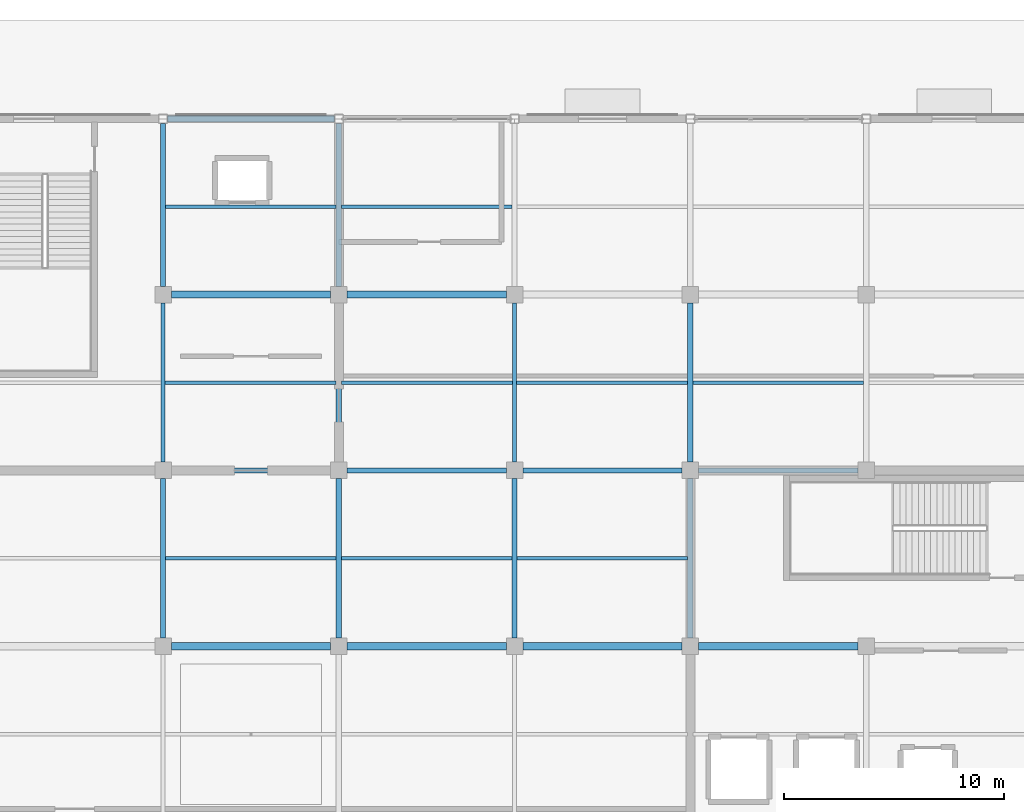
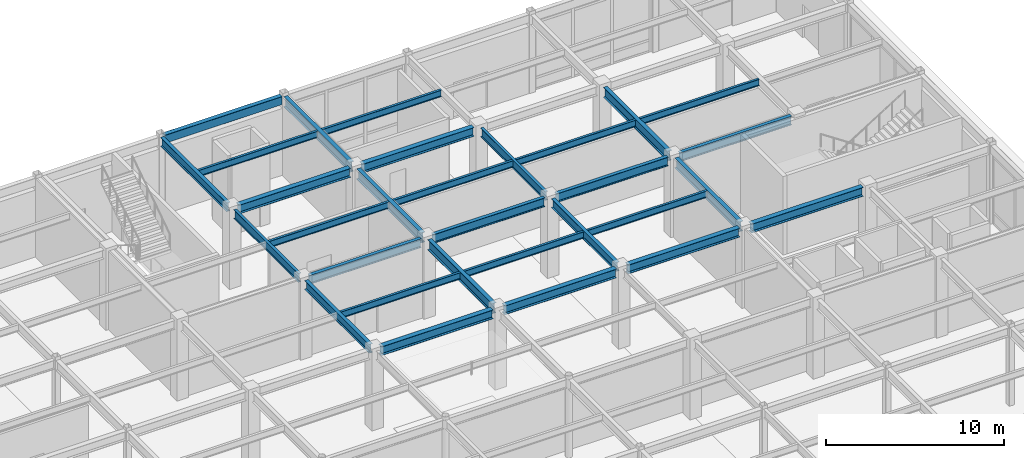
# One storey, part 88 of 128: 30 beams.
"""IFC4 building model written with IfcOpenShell, lengths in metres."""

from ifc_helpers import new_model, si_unit, direction, frame, origin, origin_2d, place, context, subcontext, project, spatial, hollow_rectangle, i_section, extrude, material, material_profile, profile_set, type_object, element, save


model = new_model("IFC4")

# Units and contexts
model_context = context("Model", 3, precision=1e-05, world=origin(), true_north=direction((0.0, 1.0)))
body_context = subcontext(model_context, "Body", "Model", "MODEL_VIEW")
ifc_project = project(units=[si_unit("LENGTHUNIT", "METRE"), si_unit("AREAUNIT", "SQUARE_METRE"), si_unit("VOLUMEUNIT", "CUBIC_METRE"), si_unit("PLANEANGLEUNIT", "RADIAN"), si_unit("MASSUNIT", "GRAM", prefix="KILO")], contexts=[model_context])

# Site, building, storey
site_placement = place(None, origin())
site = spatial("IfcSite", under=ifc_project, at=site_placement, CompositionType="ELEMENT")
building_placement = place(site_placement, origin())
building = spatial("IfcBuilding", under=site, at=building_placement, Name="Solmirada Galleria", CompositionType="ELEMENT")
storey_placement = place(building_placement, origin())
storey = spatial("IfcBuildingStorey", under=building, at=storey_placement, Name="L00", CompositionType="ELEMENT", Elevation=0.0)

# Beams
ifc_material_1 = material(Name="Steel S355 / ASTM A992 Grade 50", Category="steel")
ifc_material_profile_1 = material_profile(ifc_material_1, i_section(OverallWidth=0.323974609375, OverallDepth=0.611083984375, WebThickness=0.0126953125, FlangeThickness=0.01904296875, FilletRadius=0.014892578125, at=origin_2d()), Name="W24X104")
ifc_profile_set_1 = profile_set([ifc_material_profile_1], Name="Steel S355 / ASTM A992 Grade 50")
beam_type_1 = type_object("IfcBeamType", Name="BM-GIRD-W24A", PredefinedType="BEAM", material=ifc_profile_set_1)
for number, where, z_axis, x_axis, name in (
    (1, (136.375, 96.0, 5.074462890625), (1.0, 0.0, 0.0), (0.0, 1.0, 0.0), "Primary beam L01 X(136..144, 96)"),
    (2, (136.375, 112.0, 5.074462890625), (1.0, 0.0, 0.0), (0.0, 1.0, 0.0), "Primary beam L01 X(136..144, 112)"),
    (3, (144.375, 96.0, 5.074462890625), (1.0, 0.0, 0.0), (0.0, 1.0, 0.0), "Primary beam L01 X(144..152, 96)"),
    (4, (144.375, 112.0, 5.074462890625), (1.0, 0.0, 0.0), (0.0, 1.0, 0.0), "Primary beam L01 X(144..152, 112)"),
    (5, (152.375, 96.0, 5.074462890625), (1.0, 0.0, 0.0), (0.0, 1.0, 0.0), "Primary beam L01 X(152..160, 96)"),
    (6, (160.375, 96.0, 5.074462890625), (1.0, 0.0, 0.0), (0.0, 1.0, 0.0), "Primary beam L01 X(160..168, 96)"),
):
    element("IfcBeam", number, at=place(storey_placement, frame(where, z_axis=z_axis, x_axis=x_axis)), inside=storey, type_object=beam_type_1, Name=name, PredefinedType="BEAM", context=body_context, shape_type="SweptSolid", body=[
        extrude(i_section(OverallWidth=0.323974609375, OverallDepth=0.611083984375, WebThickness=0.0126953125, FlangeThickness=0.01904296875, FilletRadius=0.014892578125, at=origin_2d()), origin(), (0.0, 0.0, 1.0), 7.25),
    ])
ifc_material_profile_2 = material_profile(ifc_material_1, i_section(OverallWidth=0.22900390625, OverallDepth=0.612060546875, WebThickness=0.011962890625, FlangeThickness=0.01953125, FilletRadius=0.014892578125, at=origin_2d()), Name="W24X84")
ifc_profile_set_2 = profile_set([ifc_material_profile_2], Name="Steel S355 / ASTM A992 Grade 50")
beam_type_2 = type_object("IfcBeamType", Name="BM-GIRD-W24B", PredefinedType="BEAM", material=ifc_profile_set_2)
for number, where, z_axis, x_axis, name in (
    (7, (136.375, 104.0, 5.073974609375), (1.0, 0.0, 0.0), (0.0, 1.0, 0.0), "Primary beam L01 X(136..144, 104)"),
    (8, (144.375, 104.0, 5.073974609375), (1.0, 0.0, 0.0), (0.0, 1.0, 0.0), "Primary beam L01 X(144..152, 104)"),
    (9, (152.375, 104.0, 5.073974609375), (1.0, 0.0, 0.0), (0.0, 1.0, 0.0), "Primary beam L01 X(152..160, 104)"),
    (10, (160.375, 104.0, 5.073974609375), (1.0, 0.0, 0.0), (0.0, 1.0, 0.0), "Primary beam L01 X(160..168, 104)"),
):
    element("IfcBeam", number, at=place(storey_placement, frame(where, z_axis=z_axis, x_axis=x_axis)), inside=storey, type_object=beam_type_2, Name=name, PredefinedType="BEAM", context=body_context, shape_type="SweptSolid", body=[
        extrude(i_section(OverallWidth=0.22900390625, OverallDepth=0.612060546875, WebThickness=0.011962890625, FlangeThickness=0.01953125, FilletRadius=0.014892578125, at=origin_2d()), origin(), (0.0, 0.0, 1.0), 7.25),
    ])
ifc_material_profile_3 = material_profile(ifc_material_1, i_section(OverallWidth=0.22802734375, OverallDepth=0.60302734375, WebThickness=0.010498046875, FlangeThickness=0.014892578125, FilletRadius=0.014892578125, at=origin_2d()), Name="W24X68")
ifc_profile_set_3 = profile_set([ifc_material_profile_3], Name="Steel S355 / ASTM A992 Grade 50")
beam_type_3 = type_object("IfcBeamType", Name="BM-GIRD-W24C", PredefinedType="BEAM", material=ifc_profile_set_3)
beam_1_placement = place(storey_placement, frame((136.0, 96.375, 5.07861328125), z_axis=(0.0, 1.0, 0.0), x_axis=(-1.0, 0.0, 0.0)))
element("IfcBeam", 11, at=beam_1_placement, inside=storey, type_object=beam_type_3, Name="Primary girder L01 Y(136, 96..104)", PredefinedType="BEAM", context=body_context, shape_type="SweptSolid", body=[
    extrude(i_section(OverallWidth=0.22802734375, OverallDepth=0.60302734375, WebThickness=0.010498046875, FlangeThickness=0.014892578125, FilletRadius=0.014892578125, at=origin_2d()), origin(), (0.0, 0.0, 1.0), 7.25),
])
beam_2_placement = place(storey_placement, frame((136.0, 112.375, 5.07861328125), z_axis=(0.0, 1.0, 0.0), x_axis=(-1.0, 0.0, 0.0)))
element("IfcBeam", 12, at=beam_2_placement, inside=storey, type_object=beam_type_3, Name="Primary girder L01 Y(136, 112..120)", PredefinedType="BEAM", context=body_context, shape_type="SweptSolid", body=[
    extrude(i_section(OverallWidth=0.22802734375, OverallDepth=0.60302734375, WebThickness=0.010498046875, FlangeThickness=0.014892578125, FilletRadius=0.014892578125, at=origin_2d()), origin(), (0.0, 0.0, 1.0), 7.422119140625),
])
beam_3_placement = place(storey_placement, frame((152.0, 96.375, 5.07861328125), z_axis=(0.0, 1.0, 0.0), x_axis=(-1.0, 0.0, 0.0)))
element("IfcBeam", 13, at=beam_3_placement, inside=storey, type_object=beam_type_3, Name="Primary girder L01 Y(152, 96..104)", PredefinedType="BEAM", context=body_context, shape_type="SweptSolid", body=[
    extrude(i_section(OverallWidth=0.22802734375, OverallDepth=0.60302734375, WebThickness=0.010498046875, FlangeThickness=0.014892578125, FilletRadius=0.014892578125, at=origin_2d()), origin(), (0.0, 0.0, 1.0), 7.25),
])
ifc_material_profile_4 = material_profile(ifc_material_1, i_section(OverallWidth=0.177978515625, OverallDepth=0.59912109375, WebThickness=0.010009765625, FlangeThickness=0.0126953125, FilletRadius=0.013916015625, at=origin_2d()), Name="W24X55")
ifc_profile_set_4 = profile_set([ifc_material_profile_4], Name="Steel S355 / ASTM A992 Grade 50")
beam_type_4 = type_object("IfcBeamType", Name="BM-GIRD-W24D", PredefinedType="BEAM", material=ifc_profile_set_4)
for number, where, z_axis, x_axis, name in (
    (14, (136.0, 104.375, 5.08056640625), (0.0, 1.0, 0.0), (-1.0, 0.0, 0.0), "Primary girder L01 Y(136, 104..112)"),
    (15, (152.0, 104.375, 5.08056640625), (0.0, 1.0, 0.0), (-1.0, 0.0, 0.0), "Primary girder L01 Y(152, 104..112)"),
):
    element("IfcBeam", number, at=place(storey_placement, frame(where, z_axis=z_axis, x_axis=x_axis)), inside=storey, type_object=beam_type_4, Name=name, PredefinedType="BEAM", context=body_context, shape_type="SweptSolid", body=[
        extrude(i_section(OverallWidth=0.177978515625, OverallDepth=0.59912109375, WebThickness=0.010009765625, FlangeThickness=0.0126953125, FilletRadius=0.013916015625, at=origin_2d()), origin(), (0.0, 0.0, 1.0), 7.25),
    ])
ifc_material_profile_5 = material_profile(ifc_material_1, i_section(OverallWidth=0.256103515625, OverallDepth=0.693115234375, WebThickness=0.014404296875, FlangeThickness=0.023681640625, FilletRadius=0.01806640625, at=origin_2d()), Name="W27X114")
ifc_profile_set_5 = profile_set([ifc_material_profile_5], Name="Steel S355 / ASTM A992 Grade 50")
beam_type_5 = type_object("IfcBeamType", Name="BM-GIRD-W27A", PredefinedType="BEAM", material=ifc_profile_set_5)
for number, where, z_axis, x_axis, name in (
    (16, (144.0, 96.375, 5.033447265625), (0.0, 1.0, 0.0), (-1.0, 0.0, 0.0), "Primary girder L01 Y(144, 96..104)"),
    (17, (144.0, 104.375, 5.033447265625), (0.0, 1.0, 0.0), (-1.0, 0.0, 0.0), "Primary girder L01 Y(144, 104..112)"),
):
    element("IfcBeam", number, at=place(storey_placement, frame(where, z_axis=z_axis, x_axis=x_axis)), inside=storey, type_object=beam_type_5, Name=name, PredefinedType="BEAM", context=body_context, shape_type="SweptSolid", body=[
        extrude(i_section(OverallWidth=0.256103515625, OverallDepth=0.693115234375, WebThickness=0.014404296875, FlangeThickness=0.023681640625, FilletRadius=0.01806640625, at=origin_2d()), origin(), (0.0, 0.0, 1.0), 7.25),
    ])
beam_4_placement = place(storey_placement, frame((144.0, 112.375, 5.033447265625), z_axis=(0.0, 1.0, 0.0), x_axis=(-1.0, 0.0, 0.0)))
element("IfcBeam", 18, at=beam_4_placement, inside=storey, type_object=beam_type_5, Name="Primary girder L01 Y(144, 112..120)", PredefinedType="BEAM", context=body_context, shape_type="SweptSolid", body=[
    extrude(i_section(OverallWidth=0.256103515625, OverallDepth=0.693115234375, WebThickness=0.014404296875, FlangeThickness=0.023681640625, FilletRadius=0.01806640625, at=origin_2d()), origin(), (0.0, 0.0, 1.0), 7.422119140625),
])
ifc_material_profile_6 = material_profile(ifc_material_1, i_section(OverallWidth=0.25390625, OverallDepth=0.68408203125, WebThickness=0.012451171875, FlangeThickness=0.018798828125, FilletRadius=0.01708984375, at=origin_2d()), Name="W27X94")
ifc_profile_set_6 = profile_set([ifc_material_profile_6], Name="Steel S355 / ASTM A992 Grade 50")
beam_type_6 = type_object("IfcBeamType", Name="BM-GIRD-W27B", PredefinedType="BEAM", material=ifc_profile_set_6)
for number, where, z_axis, x_axis, name in (
    (19, (160.0, 96.375, 5.0380859375), (0.0, 1.0, 0.0), (-1.0, 0.0, 0.0), "Primary girder L01 Y(160, 96..104)"),
    (20, (160.0, 104.375, 5.0380859375), (0.0, 1.0, 0.0), (-1.0, 0.0, 0.0), "Primary girder L01 Y(160, 104..112)"),
):
    element("IfcBeam", number, at=place(storey_placement, frame(where, z_axis=z_axis, x_axis=x_axis)), inside=storey, type_object=beam_type_6, Name=name, PredefinedType="BEAM", context=body_context, shape_type="SweptSolid", body=[
        extrude(i_section(OverallWidth=0.25390625, OverallDepth=0.68408203125, WebThickness=0.012451171875, FlangeThickness=0.018798828125, FilletRadius=0.01708984375, at=origin_2d()), origin(), (0.0, 0.0, 1.0), 7.25),
    ])
ifc_material_profile_7 = material_profile(ifc_material_1, i_section(OverallWidth=0.153076171875, OverallDepth=0.455078125, WebThickness=0.008056640625, FlangeThickness=0.01318359375, FilletRadius=0.011962890625, at=origin_2d()), Name="W18X40")
ifc_profile_set_7 = profile_set([ifc_material_profile_7], Name="Steel S355 / ASTM A992 Grade 50")
beam_type_7 = type_object("IfcBeamType", Name="BM-JST-W18A", PredefinedType="JOIST", material=ifc_profile_set_7)
beam_5_placement = place(storey_placement, frame((136.114013671875, 100.0, 5.152587890625), z_axis=(1.0, 0.0, 0.0), x_axis=(0.0, 1.0, 0.0)))
element("IfcBeam", 21, at=beam_5_placement, inside=storey, type_object=beam_type_7, Name="Composite floor joist L01 (136..144, 100.0)", PredefinedType="JOIST", context=body_context, shape_type="SweptSolid", body=[
    extrude(i_section(OverallWidth=0.153076171875, OverallDepth=0.455078125, WebThickness=0.008056640625, FlangeThickness=0.01318359375, FilletRadius=0.011962890625, at=origin_2d()), origin(), (0.0, 0.0, 1.0), 7.758056640625),
])
beam_6_placement = place(storey_placement, frame((136.089111328125, 108.0, 5.152587890625), z_axis=(1.0, 0.0, 0.0), x_axis=(0.0, 1.0, 0.0)))
element("IfcBeam", 22, at=beam_6_placement, inside=storey, type_object=beam_type_7, Name="Composite floor joist L01 (136..144, 108.0)", PredefinedType="JOIST", context=body_context, shape_type="SweptSolid", body=[
    extrude(i_section(OverallWidth=0.153076171875, OverallDepth=0.455078125, WebThickness=0.008056640625, FlangeThickness=0.01318359375, FilletRadius=0.011962890625, at=origin_2d()), origin(), (0.0, 0.0, 1.0), 7.782958984375),
])
for number, where, z_axis, x_axis, name in (
    (23, (136.114013671875, 116.0, 5.152587890625), (1.0, 0.0, 0.0), (0.0, 1.0, 0.0), "Composite floor joist L01 (136..144, 116.0)"),
    (24, (144.1279296875, 100.0, 5.152587890625), (1.0, 0.0, 0.0), (0.0, 1.0, 0.0), "Composite floor joist L01 (144..152, 100.0)"),
):
    element("IfcBeam", number, at=place(storey_placement, frame(where, z_axis=z_axis, x_axis=x_axis)), inside=storey, type_object=beam_type_7, Name=name, PredefinedType="JOIST", context=body_context, shape_type="SweptSolid", body=[
        extrude(i_section(OverallWidth=0.153076171875, OverallDepth=0.455078125, WebThickness=0.008056640625, FlangeThickness=0.01318359375, FilletRadius=0.011962890625, at=origin_2d()), origin(), (0.0, 0.0, 1.0), 7.758056640625),
    ])
beam_7_placement = place(storey_placement, frame((144.1279296875, 108.0, 5.152587890625), z_axis=(1.0, 0.0, 0.0), x_axis=(0.0, 1.0, 0.0)))
element("IfcBeam", 25, at=beam_7_placement, inside=storey, type_object=beam_type_7, Name="Composite floor joist L01 (144..152, 108.0)", PredefinedType="JOIST", context=body_context, shape_type="SweptSolid", body=[
    extrude(i_section(OverallWidth=0.153076171875, OverallDepth=0.455078125, WebThickness=0.008056640625, FlangeThickness=0.01318359375, FilletRadius=0.011962890625, at=origin_2d()), origin(), (0.0, 0.0, 1.0), 7.782958984375),
])
beam_8_placement = place(storey_placement, frame((144.1279296875, 116.0, 5.152587890625), z_axis=(1.0, 0.0, 0.0), x_axis=(0.0, 1.0, 0.0)))
element("IfcBeam", 26, at=beam_8_placement, inside=storey, type_object=beam_type_7, Name="Composite floor joist L01 (144..152, 116.0)", PredefinedType="JOIST", context=body_context, shape_type="SweptSolid", body=[
    extrude(i_section(OverallWidth=0.153076171875, OverallDepth=0.455078125, WebThickness=0.008056640625, FlangeThickness=0.01318359375, FilletRadius=0.011962890625, at=origin_2d()), origin(), (0.0, 0.0, 1.0), 7.758056640625),
])
beam_9_placement = place(storey_placement, frame((152.114013671875, 100.0, 5.152587890625), z_axis=(1.0, 0.0, 0.0), x_axis=(0.0, 1.0, 0.0)))
element("IfcBeam", 27, at=beam_9_placement, inside=storey, type_object=beam_type_7, Name="Composite floor joist L01 (152..160, 100.0)", PredefinedType="JOIST", context=body_context, shape_type="SweptSolid", body=[
    extrude(i_section(OverallWidth=0.153076171875, OverallDepth=0.455078125, WebThickness=0.008056640625, FlangeThickness=0.01318359375, FilletRadius=0.011962890625, at=origin_2d()), origin(), (0.0, 0.0, 1.0), 7.759033203125),
])
beam_10_placement = place(storey_placement, frame((152.089111328125, 108.0, 5.152587890625), z_axis=(1.0, 0.0, 0.0), x_axis=(0.0, 1.0, 0.0)))
element("IfcBeam", 28, at=beam_10_placement, inside=storey, type_object=beam_type_7, Name="Composite floor joist L01 (152..160, 108.0)", PredefinedType="JOIST", context=body_context, shape_type="SweptSolid", body=[
    extrude(i_section(OverallWidth=0.153076171875, OverallDepth=0.455078125, WebThickness=0.008056640625, FlangeThickness=0.01318359375, FilletRadius=0.011962890625, at=origin_2d()), origin(), (0.0, 0.0, 1.0), 7.783935546875),
])
beam_11_placement = place(storey_placement, frame((160.126953125, 108.0, 5.152587890625), z_axis=(1.0, 0.0, 0.0), x_axis=(0.0, 1.0, 0.0)))
element("IfcBeam", 29, at=beam_11_placement, inside=storey, type_object=beam_type_7, Name="Composite floor joist L01 (160..168, 108.0)", PredefinedType="JOIST", context=body_context, shape_type="SweptSolid", body=[
    extrude(i_section(OverallWidth=0.153076171875, OverallDepth=0.455078125, WebThickness=0.008056640625, FlangeThickness=0.01318359375, FilletRadius=0.011962890625, at=origin_2d()), origin(), (0.0, 0.0, 1.0), 7.7451171875),
])
ifc_material_2 = material(Name="Steel S355 / ASTM A500 Grade C", Category="steel")
ifc_material_profile_8 = material_profile(ifc_material_2, hollow_rectangle(XDim=0.304931640625, YDim=0.55908203125, WallThickness=0.01171875, InnerFilletRadius=0.01171875, OuterFilletRadius=0.023681640625, at=origin_2d()), Name="HSS22X12X1/2")
ifc_profile_set_8 = profile_set([ifc_material_profile_8], Name="Steel S355 / ASTM A500 Grade C")
beam_type_8 = type_object("IfcBeamType", Name="BM-SPAND-W21", PredefinedType="SPANDREL", material=ifc_profile_set_8)
beam_12_placement = place(storey_placement, frame((136.202880859375, 120.0, 5.1005859375), z_axis=(1.0, 0.0, 0.0), x_axis=(0.0, 1.0, 0.0)))
element("IfcBeam", 30, at=beam_12_placement, inside=storey, type_object=beam_type_8, Name="Primary beam L01 X(136..144, 120)", PredefinedType="SPANDREL", context=body_context, shape_type="SweptSolid", body=[
    extrude(hollow_rectangle(XDim=0.304931640625, YDim=0.55908203125, WallThickness=0.01171875, InnerFilletRadius=0.01171875, OuterFilletRadius=0.023681640625, at=origin_2d()), origin(), (0.0, 0.0, 1.0), 7.59423828125),
])

save(model, "model.ifc")
